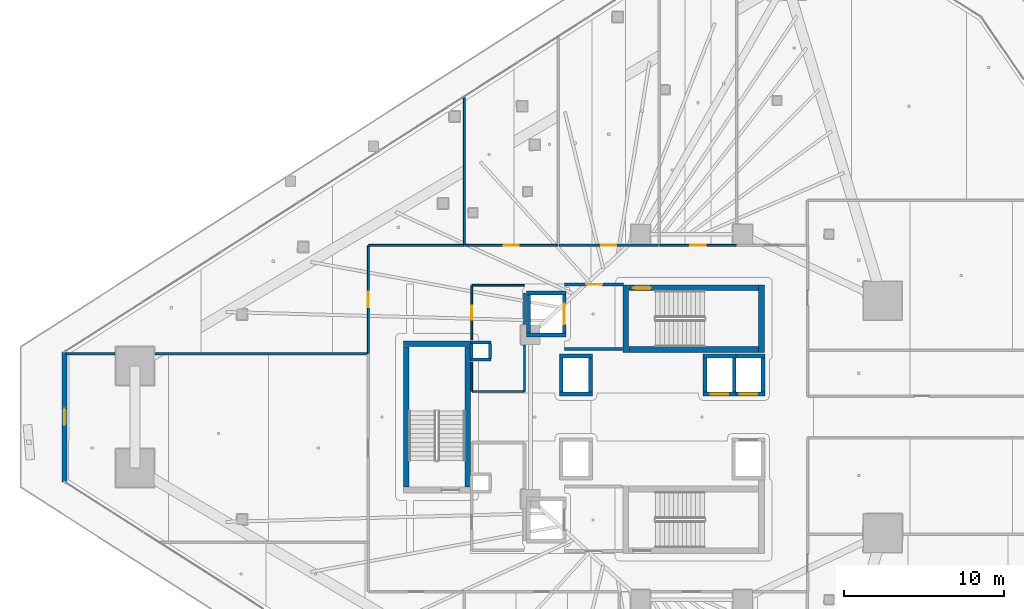
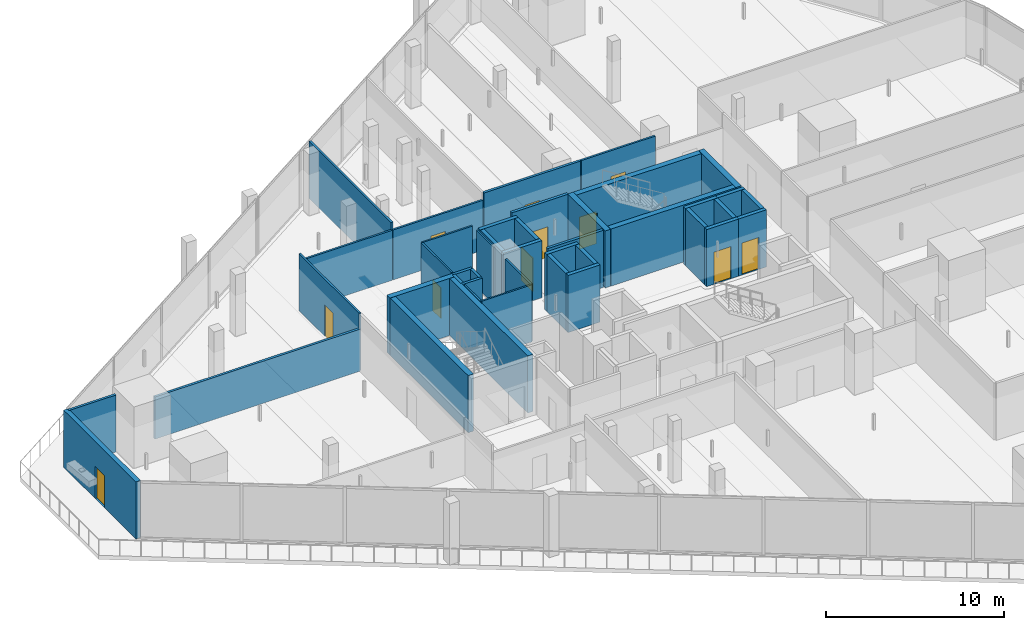
# One storey, part 29 of 44: 43 walls, 11 doors, 11 openings.
"""IFC4 building model written with IfcOpenShell, lengths in metres."""

from ifc_helpers import new_model, si_unit, direction, frame, frame_2d, origin, place, context, subcontext, project, spatial, rectangle, extrude, material, layer, layer_set, type_object, element, fill, save


model = new_model("IFC4")

# Units and contexts
model_context = context("Model", 3, precision=1e-05, world=origin(), true_north=direction((0.0, 1.0)))
body_context = subcontext(model_context, "Body", "Model", "MODEL_VIEW")
ifc_project = project(units=[si_unit("LENGTHUNIT", "METRE"), si_unit("AREAUNIT", "SQUARE_METRE"), si_unit("VOLUMEUNIT", "CUBIC_METRE"), si_unit("PLANEANGLEUNIT", "RADIAN"), si_unit("MASSUNIT", "GRAM", prefix="KILO")], contexts=[model_context])

# Site, building, storey
site_placement = place(None, origin())
site = spatial("IfcSite", under=ifc_project, at=site_placement, CompositionType="ELEMENT")
building_placement = place(site_placement, origin())
building = spatial("IfcBuilding", under=site, at=building_placement, Name="Qorvath Tower", CompositionType="ELEMENT")
storey_placement = place(building_placement, frame((0.0, 0.0, 70.199951171875)))
storey = spatial("IfcBuildingStorey", under=building, at=storey_placement, Name="L15", CompositionType="ELEMENT", Elevation=70.199951171875)

# Walls
ifc_material_1 = material(Name="Gypsum shaftliner on steel studs", Category="steel")
ifc_layer_1 = layer(ifc_material_1, 0.179931640625)
ifc_layer_set_1 = layer_set([ifc_layer_1], Name="FW-LOBBY")
wall_type_1 = type_object("IfcWallType", Name="FW-LOBBY", PredefinedType="PARTITIONING", material=ifc_layer_set_1)
for number, where, z_axis, x_axis, name in (
    (1, (-32.989990234375, 3.594970703125, 0.0), (0.0, 0.0, 1.0), (-1.0, 0.0, 0.0), "MEP Riser Shaft Enclosure Wall N-L15-S"),
    (2, (-34.260009765625, 4.675048828125, 0.0), (0.0, 0.0, 1.0), (1.0, 0.0, 0.0), "MEP Riser Shaft Enclosure Wall N-L15-N"),
):
    element("IfcWall", number, at=place(storey_placement, frame(where, z_axis=z_axis, x_axis=x_axis)), inside=storey, type_object=wall_type_1, Name=name, PredefinedType="PARTITIONING", context=body_context, shape_type="SweptSolid", body=[
        extrude(rectangle(XDim=1.27001953125, YDim=0.179931640625, at=frame_2d((0.635009765625, 0.0))), origin(), (0.0, 0.0, 1.0), 3.920166015625),
    ])
for number, where, z_axis, x_axis, name in (
    (3, (-34.205078125, 3.659912109375, 0.0), (0.0, 0.0, 1.0), (0.0, 1.0, 0.0), "MEP Riser Shaft Enclosure Wall N-L15-W"),
    (4, (-33.044921875, 4.610107421875, 0.0), (0.0, 0.0, 1.0), (0.0, -1.0, 0.0), "MEP Riser Shaft Enclosure Wall N-L15-E"),
):
    element("IfcWall", number, at=place(storey_placement, frame(where, z_axis=z_axis, x_axis=x_axis)), inside=storey, type_object=wall_type_1, Name=name, PredefinedType="PARTITIONING", context=body_context, shape_type="SweptSolid", body=[
        extrude(rectangle(XDim=0.9501953125, YDim=0.179931640625, at=frame_2d((0.47509765625, 0.0))), origin(), (0.0, 0.0, 1.0), 3.920166015625),
    ])
wall_1_placement = place(storey_placement, frame((-28.35498046875, 4.25, 0.0), z_axis=(0.0, 0.0, 1.0), x_axis=(1.0, 0.0, 0.0)))
element("IfcWall", 5, at=wall_1_placement, inside=storey, type_object=wall_type_1, Name="Interior Partition IW-T1-L15-001", PredefinedType="PARTITIONING", context=body_context, shape_type="SweptSolid", body=[
    extrude(rectangle(XDim=3.6220703125, YDim=0.179931640625, at=frame_2d((1.81103515625, 0.0))), origin(), (0.0, 0.0, 1.0), 3.920166015625),
])

# Wall, opening, door
wall_2_placement = place(storey_placement, frame((-24.68408203125, 8.300048828125, 0.0), z_axis=(0.0, 0.0, 1.0), x_axis=(-1.0, 0.0, 0.0)))
wall_2 = element("IfcWall", 6, at=wall_2_placement, inside=storey, type_object=wall_type_1, Name="Interior Partition IW-T1-L15-002", PredefinedType="PARTITIONING", context=body_context, shape_type="SweptSolid", body=[
    extrude(rectangle(XDim=3.6708984375, YDim=0.179931640625, at=frame_2d((1.83544921875, 0.0))), origin(), (0.0, 0.0, 1.0), 3.920166015625),
])
opening_1_placement = place(wall_2_placement, frame((1.33544921875, 0.0, 0.0)))
opening_1 = element("IfcOpeningElement", 7, at=opening_1_placement, cuts=wall_2, Name="Opening D-T1-L15-15", PredefinedType="OPENING", context=body_context, shape_type="SweptSolid", body=[
    extrude(rectangle(XDim=1.0, YDim=2.14990234375, at=frame_2d((0.5, 1.074951171875))), frame((0.0, 0.10009765625, 0.0), z_axis=(0.0, -1.0, 0.0), x_axis=(1.0, 0.0, 0.0)), (0.0, 0.0, 1.0), 0.199951171875),
])
ifc_material_2 = material(Name="Painted galvanised hollow metal", Category="steel")
door_type_1 = type_object("IfcDoorType", Name="FD-60", OperationType="NOTDEFINED", PredefinedType="DOOR", material=ifc_material_2)
door_1_placement = place(opening_1_placement, origin())
door_1 = element("IfcDoor", 8, at=door_1_placement, inside=storey, type_object=door_type_1, Name="Lobby Fire Service Elevator North Door D-T1-L15-15", OperationType="SINGLE_SWING_RIGHT", OverallHeight=2.14990234375, OverallWidth=1.0, PredefinedType="DOOR", context=body_context, shape_type="SweptSolid", body=[
    extrude(rectangle(XDim=1.0, YDim=2.14990234375, at=frame_2d((0.5, 1.074951171875))), frame((0.0, 0.02490234375, 0.0), z_axis=(0.0, -1.0, 0.0), x_axis=(1.0, 0.0, 0.0)), (0.0, 0.0, 1.0), 0.050048828125),
])
fill(opening_1, door_1)

ifc_material_3 = material(Name="Double acoustic gypsum board on steel studs", Category="steel")
ifc_layer_2 = layer(ifc_material_3, 0.159912109375)
ifc_layer_set_2 = layer_set([ifc_layer_2], Name="IW-ACOUSTIC-160")
wall_type_2 = type_object("IfcWallType", Name="IW-ACOUSTIC-160", PredefinedType="PARTITIONING", material=ifc_layer_set_2)
wall_3_placement = place(storey_placement, frame((-28.726806640625, 10.758056640625, 0.0), z_axis=(0.0, 0.0, 1.0), x_axis=(1.0, 0.0, 0.0)))
wall_3 = element("IfcWall", 9, at=wall_3_placement, inside=storey, type_object=wall_type_2, Name="Interior Partition IW-T1-L15-020", PredefinedType="PARTITIONING", context=body_context, shape_type="SweptSolid", body=[
    extrude(rectangle(XDim=6.260498046875, YDim=0.159912109375, at=frame_2d((3.13037109375, 0.0))), origin(), (0.0, 0.0, 1.0), 3.920166015625),
])
opening_2_placement = place(wall_3_placement, frame((2.6552734375, 0.0, 0.0)))
opening_2 = element("IfcOpeningElement", 10, at=opening_2_placement, cuts=wall_3, Name="Opening D-T1-L15-04", PredefinedType="OPENING", context=body_context, shape_type="SweptSolid", body=[
    extrude(rectangle(XDim=0.949951171875, YDim=2.14990234375, at=frame_2d((0.47509765625, 1.074951171875))), frame((0.0, 0.08984375, 0.0), z_axis=(0.0, -1.0, 0.0), x_axis=(1.0, 0.0, 0.0)), (0.0, 0.0, 1.0), 0.179931640625),
])
ifc_material_4 = material(Name="Solid-core American white oak veneer", Category="wood")
door_type_2 = type_object("IfcDoorType", Name="D-01", OperationType="NOTDEFINED", PredefinedType="DOOR", material=ifc_material_4)
door_2_placement = place(opening_2_placement, origin())
door_2 = element("IfcDoor", 11, at=door_2_placement, inside=storey, type_object=door_type_2, Name="L15-02 Staff Wellness Studio Door D-T1-L15-04", OperationType="SINGLE_SWING_LEFT", OverallHeight=2.14990234375, OverallWidth=0.949951171875, PredefinedType="DOOR", context=body_context, shape_type="SweptSolid", body=[
    extrude(rectangle(XDim=0.949951171875, YDim=2.14990234375, at=frame_2d((0.47509765625, 1.074951171875))), frame((0.0, 0.02490234375, 0.0), z_axis=(0.0, -1.0, 0.0), x_axis=(1.0, 0.0, 0.0)), (0.0, 0.0, 1.0), 0.050048828125),
])
fill(opening_2, door_2)

# Walls
wall_4_placement = place(storey_placement, frame((-40.68310546875, 3.95654296875, 0.0), z_axis=(0.0, 0.0, 1.0), x_axis=(-1.0, 0.0, 0.0)))
element("IfcWall", 12, at=wall_4_placement, inside=storey, type_object=wall_type_2, Name="Interior Partition IW-T1-L15-048", PredefinedType="PARTITIONING", context=body_context, shape_type="SweptSolid", body=[
    extrude(rectangle(XDim=13.334716796875, YDim=0.159912109375, at=frame_2d((6.66748046875, 0.0))), origin(), (0.0, 0.0, 1.0), 2.89013671875),
])
wall_5_placement = place(storey_placement, frame((-56.5478515625, 3.95654296875, 0.0), z_axis=(0.0, 0.0, 1.0), x_axis=(-1.0, 0.0, 0.0)))
element("IfcWall", 13, at=wall_5_placement, inside=storey, type_object=wall_type_2, Name="Interior Partition IW-T1-L15-049", PredefinedType="PARTITIONING", context=body_context, shape_type="SweptSolid", body=[
    extrude(rectangle(XDim=3.069091796875, YDim=0.159912109375, at=frame_2d((1.53466796875, 0.0))), origin(), (0.0, 0.0, 1.0), 3.920166015625),
])

# Wall, opening, door
ifc_material_5 = material(Name="Gypsum board on metal studs with mineral wool", Category="gypsum")
ifc_layer_3 = layer(ifc_material_5, 0.125)
ifc_layer_set_3 = layer_set([ifc_layer_3], Name="IW-PART-125")
wall_type_3 = type_object("IfcWallType", Name="IW-PART-125", PredefinedType="PARTITIONING", material=ifc_layer_set_3)
wall_6_placement = place(storey_placement, frame((-34.625, 10.758056640625, 0.0), z_axis=(0.0, 0.0, 1.0), x_axis=(1.0, 0.0, 0.0)))
wall_6 = element("IfcWall", 14, at=wall_6_placement, inside=storey, type_object=wall_type_3, Name="Interior Partition IW-T1-L15-017", PredefinedType="PARTITIONING", context=body_context, shape_type="SweptSolid", body=[
    extrude(rectangle(XDim=5.840576171875, YDim=0.125, at=frame_2d((2.92041015625, 0.0))), origin(), (0.0, 0.0, 1.0), 3.43310546875),
])
opening_3_placement = place(wall_6_placement, frame((2.4453125, 0.0, 0.0)))
opening_3 = element("IfcOpeningElement", 15, at=opening_3_placement, cuts=wall_6, Name="Opening D-T1-L15-03", PredefinedType="OPENING", context=body_context, shape_type="SweptSolid", body=[
    extrude(rectangle(XDim=0.949951171875, YDim=2.14990234375, at=frame_2d((0.47509765625, 1.074951171875))), frame((0.0, 0.072509765625, 0.0), z_axis=(0.0, -1.0, 0.0), x_axis=(1.0, 0.0, 0.0)), (0.0, 0.0, 1.0), 0.14501953125),
])
door_3_placement = place(opening_3_placement, origin())
door_3 = element("IfcDoor", 16, at=door_3_placement, inside=storey, type_object=door_type_2, Name="L15-01 Project Collaboration Workspace Door D-T1-L15-03", OperationType="SINGLE_SWING_RIGHT", OverallHeight=2.14990234375, OverallWidth=0.949951171875, PredefinedType="DOOR", context=body_context, shape_type="SweptSolid", body=[
    extrude(rectangle(XDim=0.949951171875, YDim=2.14990234375, at=frame_2d((0.47509765625, 1.074951171875))), frame((0.0, 0.02490234375, 0.0), z_axis=(0.0, -1.0, 0.0), x_axis=(1.0, 0.0, 0.0)), (0.0, 0.0, 1.0), 0.050048828125),
])
fill(opening_3, door_3)

# Wall
wall_7_placement = place(storey_placement, frame((-34.64990234375, 19.995361328125, 0.0), z_axis=(0.0, 0.0, 1.0), x_axis=(0.0, -1.0, 0.0)))
element("IfcWall", 17, at=wall_7_placement, inside=storey, type_object=wall_type_3, Name="Interior Partition IW-T1-L15-019", PredefinedType="PARTITIONING", context=body_context, shape_type="SweptSolid", body=[
    extrude(rectangle(XDim=9.212158203125, YDim=0.125, at=frame_2d((4.60595703125, 0.0))), origin(), (0.0, 0.0, 1.0), 3.920166015625),
])

# Wall, opening, door
wall_8_placement = place(storey_placement, frame((-22.408203125, 10.758056640625, 0.0), z_axis=(0.0, 0.0, 1.0), x_axis=(1.0, 0.0, 0.0)))
wall_8 = element("IfcWall", 18, at=wall_8_placement, inside=storey, type_object=wall_type_3, Name="Interior Partition IW-T1-L15-022", PredefinedType="PARTITIONING", context=body_context, shape_type="SweptSolid", body=[
    extrude(rectangle(XDim=4.8017578125, YDim=0.125, at=frame_2d((2.40087890625, 0.0))), origin(), (0.0, 0.0, 1.0), 3.920166015625),
])
opening_4_placement = place(wall_8_placement, frame((1.92578125, 0.0, 0.0)))
opening_4 = element("IfcOpeningElement", 19, at=opening_4_placement, cuts=wall_8, Name="Opening D-T1-L15-05", PredefinedType="OPENING", context=body_context, shape_type="SweptSolid", body=[
    extrude(rectangle(XDim=0.949951171875, YDim=2.14990234375, at=frame_2d((0.47509765625, 1.074951171875))), frame((0.0, 0.072509765625, 0.0), z_axis=(0.0, -1.0, 0.0), x_axis=(1.0, 0.0, 0.0)), (0.0, 0.0, 1.0), 0.14501953125),
])
door_4_placement = place(opening_4_placement, origin())
door_4 = element("IfcDoor", 20, at=door_4_placement, inside=storey, type_object=door_type_2, Name="L15-03 Design Pin-Up Atelier Door D-T1-L15-05", OperationType="SINGLE_SWING_RIGHT", OverallHeight=2.14990234375, OverallWidth=0.949951171875, PredefinedType="DOOR", context=body_context, shape_type="SweptSolid", body=[
    extrude(rectangle(XDim=0.949951171875, YDim=2.14990234375, at=frame_2d((0.47509765625, 1.074951171875))), frame((0.0, 0.02490234375, 0.0), z_axis=(0.0, -1.0, 0.0), x_axis=(1.0, 0.0, 0.0)), (0.0, 0.0, 1.0), 0.050048828125),
])
fill(opening_4, door_4)

wall_9_placement = place(storey_placement, frame((-40.657958984375, 3.989501953125, 0.0), z_axis=(0.0, 0.0, 1.0), x_axis=(0.0, 1.0, 0.0)))
wall_9 = element("IfcWall", 21, at=wall_9_placement, inside=storey, type_object=wall_type_3, Name="Interior Partition IW-T1-L15-050", PredefinedType="PARTITIONING", context=body_context, shape_type="SweptSolid", body=[
    extrude(rectangle(XDim=6.74365234375, YDim=0.125, at=frame_2d((3.371826171875, 0.0))), origin(), (0.0, 0.0, 1.0), 3.920166015625),
])
opening_5_placement = place(wall_9_placement, frame((2.896728515625, 0.0, 0.0)))
opening_5 = element("IfcOpeningElement", 22, at=opening_5_placement, cuts=wall_9, Name="Opening D-T1-L15-14", PredefinedType="OPENING", context=body_context, shape_type="SweptSolid", body=[
    extrude(rectangle(XDim=0.949951171875, YDim=2.14990234375, at=frame_2d((0.47509765625, 1.074951171875))), frame((0.0, 0.072509765625, 0.0), z_axis=(0.0, -1.0, 0.0), x_axis=(1.0, 0.0, 0.0)), (0.0, 0.0, 1.0), 0.14501953125),
])
door_5_placement = place(opening_5_placement, origin())
door_5 = element("IfcDoor", 23, at=door_5_placement, inside=storey, type_object=door_type_2, Name="L15-12 Project Collaboration Workspace Door D-T1-L15-14", OperationType="SINGLE_SWING_LEFT", OverallHeight=2.14990234375, OverallWidth=0.949951171875, PredefinedType="DOOR", context=body_context, shape_type="SweptSolid", body=[
    extrude(rectangle(XDim=0.949951171875, YDim=2.14990234375, at=frame_2d((0.47509765625, 1.074951171875))), frame((0.0, 0.02490234375, 0.0), z_axis=(0.0, -1.0, 0.0), x_axis=(1.0, 0.0, 0.0)), (0.0, 0.0, 1.0), 0.050048828125),
])
fill(opening_5, door_5)

# Walls
wall_10_placement = place(storey_placement, frame((-34.68310546875, 10.758056640625, 0.0), z_axis=(0.0, 0.0, 1.0), x_axis=(-1.0, 0.0, 0.0)))
element("IfcWall", 24, at=wall_10_placement, inside=storey, type_object=wall_type_3, Name="Interior Partition IW-T1-L15-051", PredefinedType="PARTITIONING", context=body_context, shape_type="SweptSolid", body=[
    extrude(rectangle(XDim=5.949951171875, YDim=0.125, at=frame_2d((2.97509765625, 0.0))), origin(), (0.0, 0.0, 1.0), 3.43310546875),
])
ifc_material_6 = material(Name="Moisture-resistant cement board on metal studs", Category="gypsum")
ifc_layer_4 = layer(ifc_material_6, 0.110107421875)
ifc_layer_set_4 = layer_set([ifc_layer_4], Name="IW-WC-110")
wall_type_4 = type_object("IfcWallType", Name="IW-WC-110", PredefinedType="PARTITIONING", material=ifc_layer_set_4)
wall_11_placement = place(storey_placement, frame((-34.15478515625, 1.60009765625, 0.0), z_axis=(0.0, 0.0, 1.0), x_axis=(1.0, 0.0, 0.0)))
element("IfcWall", 25, at=wall_11_placement, inside=storey, type_object=wall_type_4, Name="Interior Partition IW-T1-L15-005", PredefinedType="PARTITIONING", context=body_context, shape_type="SweptSolid", body=[
    extrude(rectangle(XDim=3.25, YDim=0.110107421875, at=frame_2d((1.625, 0.0))), origin(), (0.0, 0.0, 1.0), 3.920166015625),
])
wall_12_placement = place(storey_placement, frame((-30.8798828125, 1.625, 0.0), z_axis=(0.0, 0.0, 1.0), x_axis=(0.0, 1.0, 0.0)))
element("IfcWall", 26, at=wall_12_placement, inside=storey, type_object=wall_type_4, Name="Interior Partition IW-T1-L15-006", PredefinedType="PARTITIONING", context=body_context, shape_type="SweptSolid", body=[
    extrude(rectangle(XDim=2.860107421875, YDim=0.110107421875, at=frame_2d((1.43017578125, 0.0))), origin(), (0.0, 0.0, 1.0), 3.920166015625),
])
wall_13_placement = place(storey_placement, frame((-30.8798828125, 5.81494140625, 0.0), z_axis=(0.0, 0.0, 1.0), x_axis=(0.0, 1.0, 0.0)))
element("IfcWall", 27, at=wall_13_placement, inside=storey, type_object=wall_type_4, Name="Interior Partition IW-T1-L15-007", PredefinedType="PARTITIONING", context=body_context, shape_type="SweptSolid", body=[
    extrude(rectangle(XDim=1.927978515625, YDim=0.110107421875, at=frame_2d((0.9638671875, 0.0))), origin(), (0.0, 0.0, 1.0), 3.920166015625),
])
wall_14_placement = place(storey_placement, frame((-30.90478515625, 8.25, 0.0), z_axis=(0.0, 0.0, 1.0), x_axis=(-1.0, 0.0, 0.0)))
element("IfcWall", 28, at=wall_14_placement, inside=storey, type_object=wall_type_4, Name="Interior Partition IW-T1-L15-008", PredefinedType="PARTITIONING", context=body_context, shape_type="SweptSolid", body=[
    extrude(rectangle(XDim=3.25, YDim=0.110107421875, at=frame_2d((1.625, 0.0))), origin(), (0.0, 0.0, 1.0), 3.920166015625),
])

# Wall, opening, door
wall_15_placement = place(storey_placement, frame((-34.179931640625, 8.22509765625, 0.0), z_axis=(0.0, 0.0, 1.0), x_axis=(0.0, -1.0, 0.0)))
wall_15 = element("IfcWall", 29, at=wall_15_placement, inside=storey, type_object=wall_type_4, Name="Interior Partition IW-T1-L15-009", PredefinedType="PARTITIONING", context=body_context, shape_type="SweptSolid", body=[
    extrude(rectangle(XDim=3.385009765625, YDim=0.110107421875, at=frame_2d((1.6923828125, 0.0))), origin(), (0.0, 0.0, 1.0), 3.920166015625),
])
opening_6_placement = place(wall_15_placement, frame((1.25244140625, 0.0, 0.0)))
opening_6 = element("IfcOpeningElement", 30, at=opening_6_placement, cuts=wall_15, Name="Opening D-T1-L15-01", PredefinedType="OPENING", context=body_context, shape_type="SweptSolid", body=[
    extrude(rectangle(XDim=0.8798828125, YDim=2.10009765625, at=frame_2d((0.43994140625, 1.050048828125))), frame((0.0, 0.06494140625, 0.0), z_axis=(0.0, -1.0, 0.0), x_axis=(1.0, 0.0, 0.0)), (0.0, 0.0, 1.0), 0.130126953125),
])
ifc_material_7 = material(Name="Solid-core oak with acoustic drop seal", Category="wood")
door_type_3 = type_object("IfcDoorType", Name="D-02", OperationType="NOTDEFINED", PredefinedType="DOOR", material=ifc_material_7)
door_6_placement = place(opening_6_placement, origin())
door_6 = element("IfcDoor", 31, at=door_6_placement, inside=storey, type_object=door_type_3, Name="Accessible WC North L15 Door D-T1-L15-01", OperationType="SINGLE_SWING_RIGHT", OverallHeight=2.10009765625, OverallWidth=0.8798828125, PredefinedType="DOOR", context=body_context, shape_type="SweptSolid", body=[
    extrude(rectangle(XDim=0.8798828125, YDim=2.10009765625, at=frame_2d((0.43994140625, 1.050048828125))), frame((0.0, 0.02490234375, 0.0), z_axis=(0.0, -1.0, 0.0), x_axis=(1.0, 0.0, 0.0)), (0.0, 0.0, 1.0), 0.050048828125),
])
fill(opening_6, door_6)

# Walls
wall_16_placement = place(storey_placement, frame((-34.179931640625, 3.429931640625, 0.0), z_axis=(0.0, 0.0, 1.0), x_axis=(0.0, -1.0, 0.0)))
element("IfcWall", 32, at=wall_16_placement, inside=storey, type_object=wall_type_4, Name="Interior Partition IW-T1-L15-010", PredefinedType="PARTITIONING", context=body_context, shape_type="SweptSolid", body=[
    extrude(rectangle(XDim=1.804931640625, YDim=0.110107421875, at=frame_2d((0.90234375, 0.0))), origin(), (0.0, 0.0, 1.0), 3.920166015625),
])
ifc_material_8 = material(Name="Concrete C60/75", Category="concrete")
ifc_layer_5 = layer(ifc_material_8, 0.260009765625)
ifc_layer_set_5 = layer_set([ifc_layer_5], Name="SW-SHAFT")
wall_type_5 = type_object("IfcWallType", Name="SW-SHAFT", PredefinedType="SHEAR", material=ifc_layer_set_5)
for number, where, z_axis, x_axis, name in (
    (33, (-28.260009765625, 5.1298828125, 0.0), (0.0, 0.0, 1.0), (-1.0, 0.0, 0.0), "Hoistway Wall FSAE-1 L15 S"),
    (34, (-30.739990234375, 7.77001953125, 0.0), (0.0, 0.0, 1.0), (1.0, 0.0, 0.0), "Hoistway Wall FSAE-1 L15 N"),
):
    element("IfcWall", number, at=place(storey_placement, frame(where, z_axis=z_axis, x_axis=x_axis)), inside=storey, type_object=wall_type_5, Name=name, PredefinedType="SHEAR", context=body_context, shape_type="SweptSolid", body=[
        extrude(rectangle(XDim=2.47998046875, YDim=0.239990234375, at=frame_2d((1.239990234375, 0.0))), origin(), (0.0, 0.0, 1.0), 3.920166015625),
    ])
wall_17_placement = place(storey_placement, frame((-30.6201171875, 5.261962890625, 0.0), z_axis=(0.0, 0.0, 1.0), x_axis=(0.0, 1.0, 0.0)))
element("IfcWall", 35, at=wall_17_placement, inside=storey, type_object=wall_type_5, Name="Hoistway Wall FSAE-1 L15 W", PredefinedType="SHEAR", context=body_context, shape_type="SweptSolid", body=[
    extrude(rectangle(XDim=2.3759765625, YDim=0.239990234375, at=frame_2d((1.18798828125, 0.0))), origin(), (0.0, 0.0, 1.0), 3.920166015625),
])

# Wall, opening, door
wall_18_placement = place(storey_placement, frame((-28.3798828125, 7.637939453125, 0.0), z_axis=(0.0, 0.0, 1.0), x_axis=(0.0, -1.0, 0.0)))
wall_18 = element("IfcWall", 36, at=wall_18_placement, inside=storey, type_object=wall_type_5, Name="Hoistway Wall FSAE-1 L15 E", PredefinedType="SHEAR", context=body_context, shape_type="SweptSolid", body=[
    extrude(rectangle(XDim=2.3759765625, YDim=0.239990234375, at=frame_2d((1.18798828125, 0.0))), origin(), (0.0, 0.0, 1.0), 3.920166015625),
])
opening_7_placement = place(wall_18_placement, frame((0.537841796875, 0.0, 0.0)))
opening_7 = element("IfcOpeningElement", 37, at=opening_7_placement, cuts=wall_18, Name="Opening LD-FSAE-1-L15", PredefinedType="OPENING", context=body_context, shape_type="SweptSolid", body=[
    extrude(rectangle(XDim=1.300048828125, YDim=2.300048828125, at=frame_2d((0.64990234375, 1.14990234375))), frame((0.0, 0.1298828125, 0.0), z_axis=(0.0, -1.0, 0.0), x_axis=(1.0, 0.0, 0.0)), (0.0, 0.0, 1.0), 0.260009765625),
])
ifc_material_9 = material(Name="Brushed stainless steel AISI 316", Category="steel")
door_type_4 = type_object("IfcDoorType", Name="LD-02", OperationType="NOTDEFINED", PredefinedType="DOOR", material=ifc_material_9)
door_7_placement = place(opening_7_placement, origin())
door_7 = element("IfcDoor", 38, at=door_7_placement, inside=storey, type_object=door_type_4, Name="Elevator Landing Sliding Door LD-FSAE-1-L15", OperationType="DOUBLE_DOOR_SLIDING", OverallHeight=2.300048828125, OverallWidth=1.300048828125, PredefinedType="DOOR", context=body_context, shape_type="SweptSolid", body=[
    extrude(rectangle(XDim=1.300048828125, YDim=2.300048828125, at=frame_2d((0.64990234375, 1.14990234375))), frame((0.0, 0.02490234375, 0.0), z_axis=(0.0, -1.0, 0.0), x_axis=(1.0, 0.0, 0.0)), (0.0, 0.0, 1.0), 0.050048828125),
])
fill(opening_7, door_7)

# Walls
for number, where, z_axis, x_axis, name in (
    (39, (-26.610107421875, 1.429931640625, 0.0), (0.0, 0.0, 1.0), (-1.0, 0.0, 0.0), "Hoistway Wall PS-1 L15 S"),
    (40, (-28.68994140625, 3.820068359375, 0.0), (0.0, 0.0, 1.0), (1.0, 0.0, 0.0), "Hoistway Wall PS-1 L15 N"),
):
    element("IfcWall", number, at=place(storey_placement, frame(where, z_axis=z_axis, x_axis=x_axis)), inside=storey, type_object=wall_type_5, Name=name, PredefinedType="SHEAR", context=body_context, shape_type="SweptSolid", body=[
        extrude(rectangle(XDim=2.079833984375, YDim=0.239990234375, at=frame_2d((1.0400390625, 0.0))), origin(), (0.0, 0.0, 1.0), 3.920166015625),
    ])
for number, where, z_axis, x_axis, name in (
    (41, (-28.570068359375, 1.56201171875, 0.0), (0.0, 0.0, 1.0), (0.0, 1.0, 0.0), "Hoistway Wall PS-1 L15 W"),
    (42, (-26.72998046875, 3.68798828125, 0.0), (0.0, 0.0, 1.0), (0.0, -1.0, 0.0), "Hoistway Wall PS-1 L15 E"),
):
    element("IfcWall", number, at=place(storey_placement, frame(where, z_axis=z_axis, x_axis=x_axis)), inside=storey, type_object=wall_type_5, Name=name, PredefinedType="SHEAR", context=body_context, shape_type="SweptSolid", body=[
        extrude(rectangle(XDim=2.1259765625, YDim=0.239990234375, at=frame_2d((1.06298828125, 0.0))), origin(), (0.0, 0.0, 1.0), 3.920166015625),
    ])

# Wall, opening, door
wall_19_placement = place(storey_placement, frame((-17.610107421875, 1.429931640625, 0.0), z_axis=(0.0, 0.0, 1.0), x_axis=(-1.0, 0.0, 0.0)))
wall_19 = element("IfcWall", 43, at=wall_19_placement, inside=storey, type_object=wall_type_5, Name="Hoistway Wall PL-1 L15 S", PredefinedType="SHEAR", context=body_context, shape_type="SweptSolid", body=[
    extrude(rectangle(XDim=2.079833984375, YDim=0.239990234375, at=frame_2d((1.0400390625, 0.0))), origin(), (0.0, 0.0, 1.0), 3.920166015625),
])
opening_8_placement = place(wall_19_placement, frame((0.48974609375, 0.0, 0.0)))
opening_8 = element("IfcOpeningElement", 44, at=opening_8_placement, cuts=wall_19, Name="Opening LD-PL-1-L15", PredefinedType="OPENING", context=body_context, shape_type="SweptSolid", body=[
    extrude(rectangle(XDim=1.10009765625, YDim=2.199951171875, at=frame_2d((0.550048828125, 1.10009765625))), frame((0.0, 0.1298828125, 0.0), z_axis=(0.0, -1.0, 0.0), x_axis=(1.0, 0.0, 0.0)), (0.0, 0.0, 1.0), 0.260009765625),
])
ifc_material_10 = material(Name="Brushed stainless steel AISI 316", Category="steel")
door_type_5 = type_object("IfcDoorType", Name="LD-01", OperationType="NOTDEFINED", PredefinedType="DOOR", material=ifc_material_10)
door_8_placement = place(opening_8_placement, origin())
door_8 = element("IfcDoor", 45, at=door_8_placement, inside=storey, type_object=door_type_5, Name="Elevator Landing Sliding Door LD-PL-1-L15", OperationType="DOUBLE_DOOR_SLIDING", OverallHeight=2.199951171875, OverallWidth=1.10009765625, PredefinedType="DOOR", context=body_context, shape_type="SweptSolid", body=[
    extrude(rectangle(XDim=1.10009765625, YDim=2.199951171875, at=frame_2d((0.550048828125, 1.10009765625))), frame((0.0, 0.02490234375, 0.0), z_axis=(0.0, -1.0, 0.0), x_axis=(1.0, 0.0, 0.0)), (0.0, 0.0, 1.0), 0.050048828125),
])
fill(opening_8, door_8)

# Walls
wall_20_placement = place(storey_placement, frame((-19.68994140625, 3.820068359375, 0.0), z_axis=(0.0, 0.0, 1.0), x_axis=(1.0, 0.0, 0.0)))
element("IfcWall", 46, at=wall_20_placement, inside=storey, type_object=wall_type_5, Name="Hoistway Wall PL-1 L15 N", PredefinedType="SHEAR", context=body_context, shape_type="SweptSolid", body=[
    extrude(rectangle(XDim=2.079833984375, YDim=0.239990234375, at=frame_2d((1.0400390625, 0.0))), origin(), (0.0, 0.0, 1.0), 3.920166015625),
])
for number, where, z_axis, x_axis, name in (
    (47, (-19.570068359375, 1.56201171875, 0.0), (0.0, 0.0, 1.0), (0.0, 1.0, 0.0), "Hoistway Wall PL-1 L15 W"),
    (48, (-17.72998046875, 3.68798828125, 0.0), (0.0, 0.0, 1.0), (0.0, -1.0, 0.0), "Hoistway Wall PL-1 L15 E"),
):
    element("IfcWall", number, at=place(storey_placement, frame(where, z_axis=z_axis, x_axis=x_axis)), inside=storey, type_object=wall_type_5, Name=name, PredefinedType="SHEAR", context=body_context, shape_type="SweptSolid", body=[
        extrude(rectangle(XDim=2.1259765625, YDim=0.239990234375, at=frame_2d((1.06298828125, 0.0))), origin(), (0.0, 0.0, 1.0), 3.920166015625),
    ])

# Wall, opening, door
wall_21_placement = place(storey_placement, frame((-15.81005859375, 1.429931640625, 0.0), z_axis=(0.0, 0.0, 1.0), x_axis=(-1.0, 0.0, 0.0)))
wall_21 = element("IfcWall", 49, at=wall_21_placement, inside=storey, type_object=wall_type_5, Name="Hoistway Wall PL-3 L15 S", PredefinedType="SHEAR", context=body_context, shape_type="SweptSolid", body=[
    extrude(rectangle(XDim=1.800048828125, YDim=0.239990234375, at=frame_2d((0.89990234375, 0.0))), origin(), (0.0, 0.0, 1.0), 3.920166015625),
])
opening_9_placement = place(wall_21_placement, frame((0.489990234375, 0.0, 0.0)))
opening_9 = element("IfcOpeningElement", 50, at=opening_9_placement, cuts=wall_21, Name="Opening LD-PL-3-L15", PredefinedType="OPENING", context=body_context, shape_type="SweptSolid", body=[
    extrude(rectangle(XDim=1.10009765625, YDim=2.199951171875, at=frame_2d((0.550048828125, 1.10009765625))), frame((0.0, 0.1298828125, 0.0), z_axis=(0.0, -1.0, 0.0), x_axis=(1.0, 0.0, 0.0)), (0.0, 0.0, 1.0), 0.260009765625),
])
door_9_placement = place(opening_9_placement, origin())
door_9 = element("IfcDoor", 51, at=door_9_placement, inside=storey, type_object=door_type_5, Name="Elevator Landing Sliding Door LD-PL-3-L15", OperationType="DOUBLE_DOOR_SLIDING", OverallHeight=2.199951171875, OverallWidth=1.10009765625, PredefinedType="DOOR", context=body_context, shape_type="SweptSolid", body=[
    extrude(rectangle(XDim=1.10009765625, YDim=2.199951171875, at=frame_2d((0.550048828125, 1.10009765625))), frame((0.0, 0.02490234375, 0.0), z_axis=(0.0, -1.0, 0.0), x_axis=(1.0, 0.0, 0.0)), (0.0, 0.0, 1.0), 0.050048828125),
])
fill(opening_9, door_9)

# Walls
wall_22_placement = place(storey_placement, frame((-17.610107421875, 3.820068359375, 0.0), z_axis=(0.0, 0.0, 1.0), x_axis=(1.0, 0.0, 0.0)))
element("IfcWall", 52, at=wall_22_placement, inside=storey, type_object=wall_type_5, Name="Hoistway Wall PL-3 L15 N", PredefinedType="SHEAR", context=body_context, shape_type="SweptSolid", body=[
    extrude(rectangle(XDim=1.800048828125, YDim=0.239990234375, at=frame_2d((0.89990234375, 0.0))), origin(), (0.0, 0.0, 1.0), 3.920166015625),
])
wall_23_placement = place(storey_placement, frame((-15.929931640625, 3.68798828125, 0.0), z_axis=(0.0, 0.0, 1.0), x_axis=(0.0, -1.0, 0.0)))
element("IfcWall", 53, at=wall_23_placement, inside=storey, type_object=wall_type_5, Name="Hoistway Wall PL-3 L15 E", PredefinedType="SHEAR", context=body_context, shape_type="SweptSolid", body=[
    extrude(rectangle(XDim=2.1259765625, YDim=0.239990234375, at=frame_2d((1.06298828125, 0.0))), origin(), (0.0, 0.0, 1.0), 3.920166015625),
])
ifc_material_11 = material(Name="Concrete C60/75", Category="concrete")
ifc_layer_6 = layer(ifc_material_11, 0.35009765625)
ifc_layer_set_6 = layer_set([ifc_layer_6], Name="SW-STAIR")
wall_type_6 = type_object("IfcWallType", Name="SW-STAIR", PredefinedType="SHEAR", material=ifc_layer_set_6)
for number, where, z_axis, x_axis, name in (
    (54, (-24.52490234375, 8.260009765625, 0.0), (0.0, 0.0, 1.0), (0.0, -1.0, 0.0), "Stair TS1 Shear Wall L15 NEAR"),
    (55, (-16.02490234375, 4.050048828125, 0.0), (0.0, 0.0, 1.0), (0.0, 1.0, 0.0), "Stair TS1 Shear Wall L15 FAR"),
):
    element("IfcWall", number, at=place(storey_placement, frame(where, z_axis=z_axis, x_axis=x_axis)), inside=storey, type_object=wall_type_6, Name=name, PredefinedType="SHEAR", context=body_context, shape_type="SweptSolid", body=[
        extrude(rectangle(XDim=4.2099609375, YDim=0.35009765625, at=frame_2d((2.10498046875, 0.0))), origin(), (0.0, 0.0, 1.0), 3.920166015625),
    ])
wall_24_placement = place(storey_placement, frame((-24.3349609375, 4.22509765625, 0.0), z_axis=(0.0, 0.0, 1.0), x_axis=(1.0, 0.0, 0.0)))
element("IfcWall", 56, at=wall_24_placement, inside=storey, type_object=wall_type_6, Name="Stair TS1 Shear Wall L15 LEFT", PredefinedType="SHEAR", context=body_context, shape_type="SweptSolid", body=[
    extrude(rectangle(XDim=8.119873046875, YDim=0.35009765625, at=frame_2d((4.06005859375, 0.0))), origin(), (0.0, 0.0, 1.0), 3.920166015625),
])

# Wall, opening, door
wall_25_placement = place(storey_placement, frame((-16.215087890625, 8.0849609375, 0.0), z_axis=(0.0, 0.0, 1.0), x_axis=(-1.0, 0.0, 0.0)))
wall_25 = element("IfcWall", 57, at=wall_25_placement, inside=storey, type_object=wall_type_6, Name="Stair TS1 Shear Wall L15 RIGHT", PredefinedType="SHEAR", context=body_context, shape_type="SweptSolid", body=[
    extrude(rectangle(XDim=8.119873046875, YDim=0.35009765625, at=frame_2d((4.06005859375, 0.0))), origin(), (0.0, 0.0, 1.0), 3.920166015625),
])
opening_10_placement = place(wall_25_placement, frame((6.739990234375, 0.0, 0.0)))
opening_10 = element("IfcOpeningElement", 58, at=opening_10_placement, cuts=wall_25, Name="Opening D-TS1-L15", PredefinedType="OPENING", context=body_context, shape_type="SweptSolid", body=[
    extrude(rectangle(XDim=1.10009765625, YDim=2.199951171875, at=frame_2d((0.550048828125, 1.10009765625))), frame((0.0, 0.18505859375, 0.0), z_axis=(0.0, -1.0, 0.0), x_axis=(1.0, 0.0, 0.0)), (0.0, 0.0, 1.0), 0.3701171875),
])
ifc_material_12 = material(Name="Painted galvanised hollow metal", Category="steel")
door_type_6 = type_object("IfcDoorType", Name="FD-90", OperationType="NOTDEFINED", PredefinedType="DOOR", material=ifc_material_12)
door_10_placement = place(opening_10_placement, origin())
door_10 = element("IfcDoor", 59, at=door_10_placement, inside=storey, type_object=door_type_6, Name="Stair TS1 Fire Door L15", OperationType="SINGLE_SWING_RIGHT", OverallHeight=2.199951171875, OverallWidth=1.10009765625, PredefinedType="DOOR", context=body_context, shape_type="SweptSolid", body=[
    extrude(rectangle(XDim=1.10009765625, YDim=2.199951171875, at=frame_2d((0.550048828125, 1.10009765625))), frame((0.0, 0.02490234375, 0.0), z_axis=(0.0, -1.0, 0.0), x_axis=(1.0, 0.0, 0.0)), (0.0, 0.0, 1.0), 0.050048828125),
])
fill(opening_10, door_10)

# Walls
wall_26_placement = place(storey_placement, frame((-34.25, 4.574951171875, 0.0), z_axis=(0.0, 0.0, 1.0), x_axis=(-1.0, 0.0, 0.0)))
element("IfcWall", 60, at=wall_26_placement, inside=storey, type_object=wall_type_6, Name="Stair TS3 Shear Wall L15 FAR", PredefinedType="SHEAR", context=body_context, shape_type="SweptSolid", body=[
    extrude(rectangle(XDim=4.2099609375, YDim=0.35009765625, at=frame_2d((2.10498046875, 0.0))), origin(), (0.0, 0.0, 1.0), 3.920166015625),
])
for number, where, z_axis, x_axis, name in (
    (61, (-34.425048828125, -4.385009765625, 0.0), (0.0, 0.0, 1.0), (0.0, 1.0, 0.0), "Stair TS3 Shear Wall L15 LEFT"),
    (62, (-38.284912109375, 4.385009765625, 0.0), (0.0, 0.0, 1.0), (0.0, -1.0, 0.0), "Stair TS3 Shear Wall L15 RIGHT"),
):
    element("IfcWall", number, at=place(storey_placement, frame(where, z_axis=z_axis, x_axis=x_axis)), inside=storey, type_object=wall_type_6, Name=name, PredefinedType="SHEAR", context=body_context, shape_type="SweptSolid", body=[
        extrude(rectangle(XDim=8.77001953125, YDim=0.35009765625, at=frame_2d((4.385009765625, 0.0))), origin(), (0.0, 0.0, 1.0), 3.920166015625),
    ])

# Wall, opening, door
ifc_material_13 = material(Name="Precast concrete C45/55", Category="concrete")
ifc_layer_7 = layer(ifc_material_13, 0.300048828125)
ifc_layer_set_7 = layer_set([ifc_layer_7], Name="WL-EW-LOG-300")
wall_type_7 = type_object("IfcWallType", Name="WL-EW-LOG-300", PredefinedType="SOLIDWALL", material=ifc_layer_set_7)
wall_27_placement = place(storey_placement, frame((-59.697021484375, -4.06689453125, 0.0), z_axis=(0.0, 0.0, 1.0), x_axis=(0.0, 1.0, 0.0)))
wall_27 = element("IfcWall", 63, at=wall_27_placement, inside=storey, type_object=wall_type_7, Name="Tower Precast Loggia Wall L15-1.1", PredefinedType="SOLIDWALL", context=body_context, shape_type="SweptSolid", body=[
    extrude(rectangle(XDim=8.1337890625, YDim=0.300048828125, at=frame_2d((4.06689453125, 0.0))), origin(), (0.0, 0.0, 1.0), 3.920166015625),
])
opening_11_placement = place(wall_27_placement, frame((3.5419921875, 0.0, 0.0)))
opening_11 = element("IfcOpeningElement", 64, at=opening_11_placement, cuts=wall_27, Name="Opening ED-L15-01", PredefinedType="OPENING", context=body_context, shape_type="SweptSolid", body=[
    extrude(rectangle(XDim=1.050048828125, YDim=2.199951171875, at=frame_2d((0.52490234375, 1.10009765625))), frame((0.0, 0.16015625, 0.0), z_axis=(0.0, -1.0, 0.0), x_axis=(1.0, 0.0, 0.0)), (0.0, 0.0, 1.0), 0.320068359375),
])
ifc_material_14 = material(Name="Thermally broken aluminium glazed door", Category="aluminium")
door_type_7 = type_object("IfcDoorType", Name="ED-LOG", OperationType="NOTDEFINED", PredefinedType="DOOR", material=ifc_material_14)
door_11_placement = place(opening_11_placement, origin())
door_11 = element("IfcDoor", 65, at=door_11_placement, inside=storey, type_object=door_type_7, Name="L15 Recessed Loggia Access Door 1", OperationType="SINGLE_SWING_RIGHT", OverallHeight=2.199951171875, OverallWidth=1.050048828125, PredefinedType="DOOR", context=body_context, shape_type="SweptSolid", body=[
    extrude(rectangle(XDim=1.050048828125, YDim=2.199951171875, at=frame_2d((0.52490234375, 1.10009765625))), frame((0.0, 0.02490234375, 0.0), z_axis=(0.0, -1.0, 0.0), x_axis=(1.0, 0.0, 0.0)), (0.0, 0.0, 1.0), 0.050048828125),
])
fill(opening_11, door_11)

save(model, "model.ifc")
